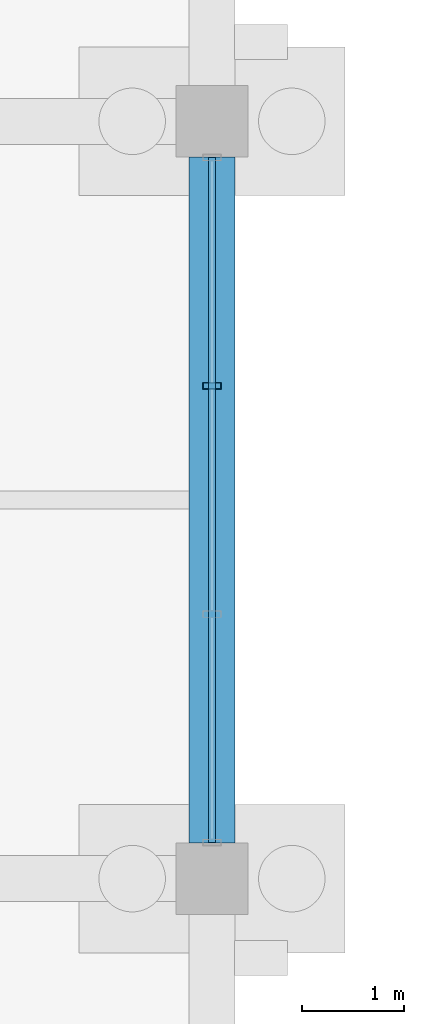
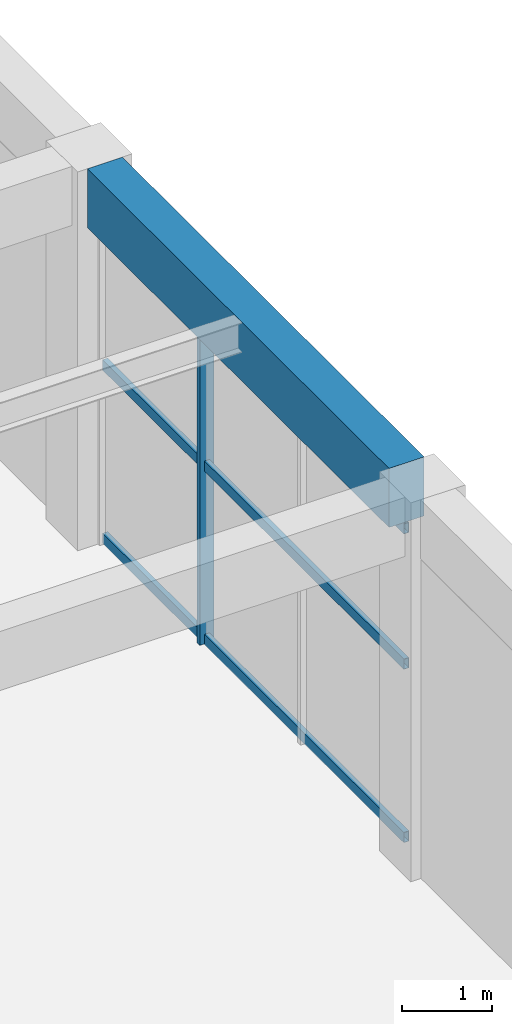
# One storey, part 104 of 140: 4 members, 1 beam, 1 element without a shape of its own.
"""IFC4 building model written with IfcOpenShell, lengths in metres."""

from ifc_helpers import new_model, si_unit, direction, frame, origin, origin_2d, place, context, subcontext, project, spatial, rectangle, hollow_rectangle, extrude, material, material_profile, profile_set, type_object, element, aggregate, save


model = new_model("IFC4")

# Units and contexts
model_context = context("Model", 3, precision=1e-05, world=origin(), true_north=direction((0.0, 1.0)))
body_context = subcontext(model_context, "Body", "Model", "MODEL_VIEW")
ifc_project = project(units=[si_unit("LENGTHUNIT", "METRE"), si_unit("AREAUNIT", "SQUARE_METRE"), si_unit("VOLUMEUNIT", "CUBIC_METRE"), si_unit("PLANEANGLEUNIT", "RADIAN"), si_unit("MASSUNIT", "GRAM", prefix="KILO")], contexts=[model_context])

# Site, building, storey
site_placement = place(None, origin())
site = spatial("IfcSite", under=ifc_project, at=site_placement, CompositionType="ELEMENT")
building_placement = place(site_placement, origin())
building = spatial("IfcBuilding", under=site, at=building_placement, Name="Cimatlan Art Gallery", CompositionType="ELEMENT")
storey_placement = place(building_placement, origin())
storey = spatial("IfcBuildingStorey", under=building, at=storey_placement, Name="L00", CompositionType="ELEMENT", Elevation=0.0)

# Beam
ifc_material_1 = material(Name="Concrete C40/50", Category="concrete")
ifc_material_profile_1 = material_profile(ifc_material_1, rectangle(XDim=0.449951171875, YDim=0.800048828125, at=origin_2d()), Name="RC450X800")
ifc_profile_set_1 = profile_set([ifc_material_profile_1], Name="Concrete C40/50")
beam_type = type_object("IfcBeamType", Name="BM-RC-450X800", PredefinedType="BEAM", material=ifc_profile_set_1)
beam_placement = place(storey_placement, frame((131.60009765625, 76.050048828125, 4.735107421875), z_axis=(0.0, 1.0, 0.0), x_axis=(-1.0, 0.0, 0.0)))
element("IfcBeam", 1, at=beam_placement, inside=storey, type_object=beam_type, Name="BM-Y-L00-16-10", PredefinedType="BEAM", context=body_context, shape_type="SweptSolid", body=[
    extrude(rectangle(XDim=0.449951171875, YDim=0.800048828125, at=origin_2d()), origin(), (0.0, 0.0, 1.0), 6.699951171875),
])

# Curtain wall, members
ifc_material_2 = material(Name="Anodised bronze unitised curtain wall")
curtain_wall_type = type_object("IfcCurtainWallType", Name="CW-V-06692X04305-B3", PredefinedType="NOTDEFINED", material=ifc_material_2)
curtain_wall_placement = place(storey_placement, origin())
curtain_wall = element("IfcCurtainWall", 2, at=curtain_wall_placement, inside=storey, type_object=curtain_wall_type, Name="CW-L00-15-10-E", PredefinedType="NOTDEFINED")
ifc_material_3 = material(Name="Anodised bronze aluminium 6063-T6", Category="aluminium")
ifc_material_profile_2 = material_profile(ifc_material_3, hollow_rectangle(XDim=0.06494140625, YDim=0.179931640625, WallThickness=0.00390625, at=origin_2d()), Name="ALU65X180X4")
ifc_profile_set_2 = profile_set([ifc_material_profile_2], Name="Anodised bronze aluminium 6063-T6")
member_type_1 = type_object("IfcMemberType", Name="CW-MUL-180", PredefinedType="MULLION", material=ifc_profile_set_2)
member_1_placement = place(storey_placement, frame((131.60009765625, 80.515380859375, 0.0), z_axis=(0.0, 0.0, 1.0), x_axis=(0.0, 1.0, 0.0)))
member_1 = element("IfcMember", 3, at=member_1_placement, type_object=member_type_1, Name="CW-L00-15-10-E-M2", PredefinedType="MULLION", context=body_context, shape_type="SweptSolid", body=[
    extrude(hollow_rectangle(XDim=0.06494140625, YDim=0.179931640625, WallThickness=0.00390625, at=origin_2d()), origin(), (0.0, 0.0, 1.0), 4.304931640625),
])
ifc_material_profile_3 = material_profile(ifc_material_3, hollow_rectangle(XDim=0.06494140625, YDim=0.139892578125, WallThickness=0.00390625, at=origin_2d()), Name="ALU65X140X4")
ifc_profile_set_3 = profile_set([ifc_material_profile_3], Name="Anodised bronze aluminium 6063-T6")
member_type_2 = type_object("IfcMemberType", Name="CW-TRN-140", PredefinedType="USERDEFINED", material=ifc_profile_set_3)
member_2_placement = place(storey_placement, frame((131.60009765625, 82.74609375, 0.06005859375), z_axis=(0.0, -1.0, 0.0), x_axis=(1.0, 0.0, 0.0)))
member_2 = element("IfcMember", 4, at=member_2_placement, type_object=member_type_2, Name="CW-L00-15-10-E-T1", ObjectType="TRANSOM", PredefinedType="USERDEFINED", context=body_context, shape_type="SweptSolid", body=[
    extrude(hollow_rectangle(XDim=0.06494140625, YDim=0.139892578125, WallThickness=0.00390625, at=origin_2d()), origin(), (0.0, 0.0, 1.0), 6.692138671875),
])
member_3_placement = place(storey_placement, frame((131.60009765625, 82.74609375, 2.410888671875), z_axis=(0.0, -1.0, 0.0), x_axis=(1.0, 0.0, 0.0)))
member_3 = element("IfcMember", 5, at=member_3_placement, type_object=member_type_2, Name="CW-L00-15-10-E-T2", ObjectType="TRANSOM", PredefinedType="USERDEFINED", context=body_context, shape_type="SweptSolid", body=[
    extrude(hollow_rectangle(XDim=0.06494140625, YDim=0.139892578125, WallThickness=0.00390625, at=origin_2d()), origin(), (0.0, 0.0, 1.0), 6.692138671875),
])
member_4_placement = place(storey_placement, frame((131.60009765625, 82.74609375, 4.2451171875), z_axis=(0.0, -1.0, 0.0), x_axis=(1.0, 0.0, 0.0)))
member_4 = element("IfcMember", 6, at=member_4_placement, type_object=member_type_2, Name="CW-L00-15-10-E-T3", ObjectType="TRANSOM", PredefinedType="USERDEFINED", context=body_context, shape_type="SweptSolid", body=[
    extrude(hollow_rectangle(XDim=0.06494140625, YDim=0.139892578125, WallThickness=0.00390625, at=origin_2d()), origin(), (0.0, 0.0, 1.0), 6.692138671875),
])
aggregate(curtain_wall, [member_1, member_2, member_3, member_4])

save(model, "model.ifc")
